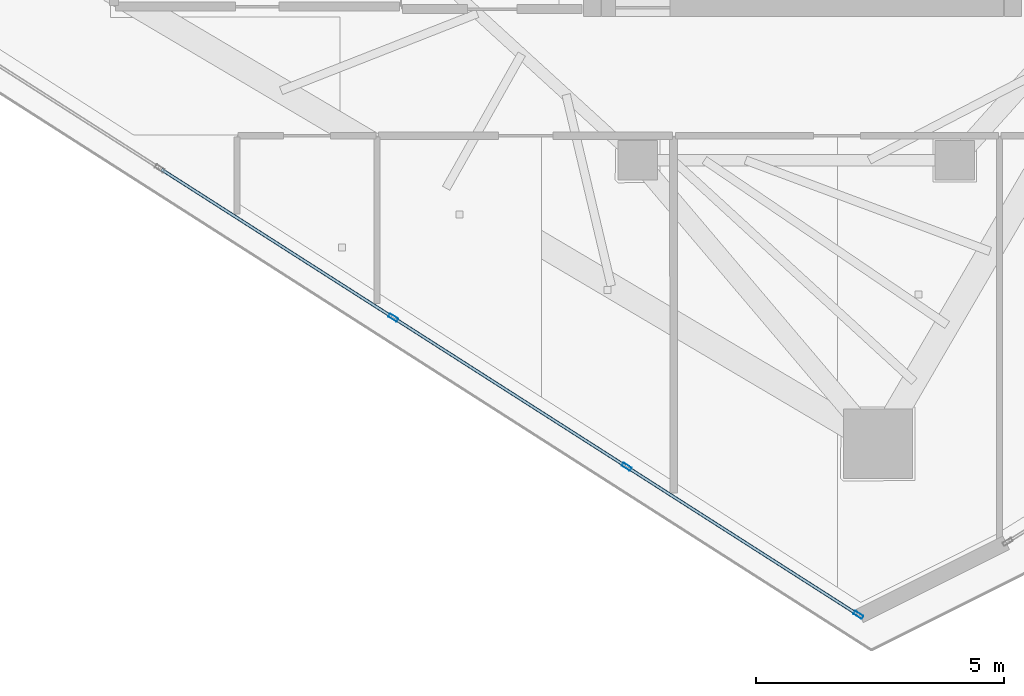
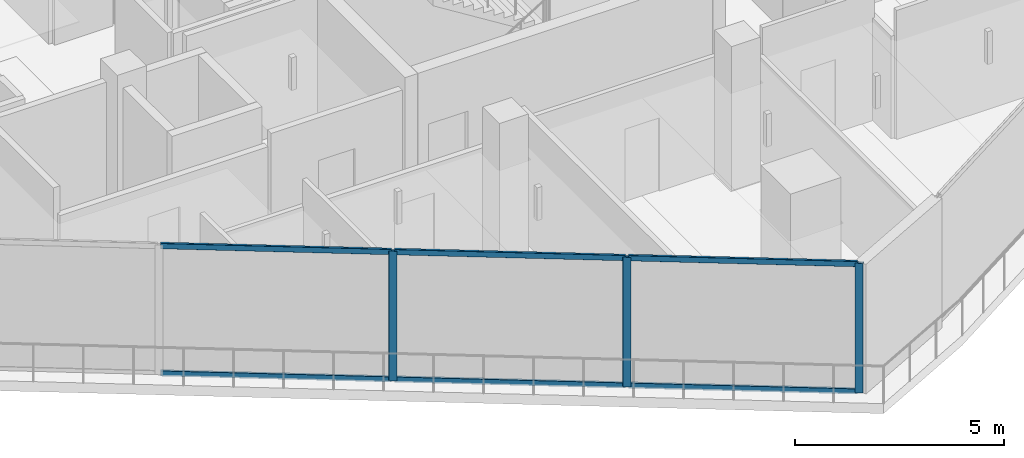
# One storey, part 5 of 26: 9 members, 1 element without a shape of its own.
"""IFC4 building model written with IfcOpenShell, lengths in metres."""

from ifc_helpers import new_model, si_unit, direction, frame, origin, origin_2d, place, context, subcontext, project, spatial, hollow_rectangle, extrude, material, layer, layer_set, material_profile, profile_set, type_object, element, aggregate, save


model = new_model("IFC4")

# Units and contexts
model_context = context("Model", 3, precision=1e-05, world=origin(), true_north=direction((0.0, 1.0)))
body_context = subcontext(model_context, "Body", "Model", "MODEL_VIEW")
ifc_project = project(units=[si_unit("LENGTHUNIT", "METRE"), si_unit("AREAUNIT", "SQUARE_METRE"), si_unit("VOLUMEUNIT", "CUBIC_METRE"), si_unit("PLANEANGLEUNIT", "RADIAN"), si_unit("MASSUNIT", "GRAM", prefix="KILO")], contexts=[model_context])

# Site, building, storey
site_placement = place(None, origin())
site = spatial("IfcSite", under=ifc_project, at=site_placement, CompositionType="ELEMENT")
building_placement = place(site_placement, origin())
building = spatial("IfcBuilding", under=site, at=building_placement, Name="Qorvath Tower", CompositionType="ELEMENT")
storey_placement = place(building_placement, frame((0.0, 0.0, 322.800048828125)))
storey = spatial("IfcBuildingStorey", under=building, at=storey_placement, Name="L75", CompositionType="ELEMENT", Elevation=322.800048828125)

# Curtain wall, members
ifc_material_1 = material(Name="Anodised aluminium and triple low-E glass", Category="aluminium")
ifc_layer = layer(ifc_material_1, 0.179931640625)
ifc_layer_set = layer_set([ifc_layer], Name="CW-SYS-4")
curtain_wall_type = type_object("IfcCurtainWallType", Name="CW-SYS-4", PredefinedType="NOTDEFINED", material=ifc_layer_set)
curtain_wall_placement = place(storey_placement, origin())
curtain_wall = element("IfcCurtainWall", 1, at=curtain_wall_placement, inside=storey, type_object=curtain_wall_type, Name="Curtain Wall CW-4 CW-T-L75-2.1", PredefinedType="NOTDEFINED")
ifc_material_2 = material(Name="Anodised aluminium 6063-T6", Category="aluminium")
ifc_material_profile_1 = material_profile(ifc_material_2, hollow_rectangle(XDim=0.074951171875, YDim=0.199951171875, WallThickness=0.00390625, InnerFilletRadius=0.00390625, OuterFilletRadius=0.008056640625, at=origin_2d()), Name="CWM 200x75")
ifc_profile_set_1 = profile_set([ifc_material_profile_1], Name="Anodised aluminium 6063-T6")
member_type_1 = type_object("IfcMemberType", Name="CWM-200", PredefinedType="MULLION", material=ifc_profile_set_1)
member_1_placement = place(storey_placement, frame((-28.541015625, -14.631103515625, 0.0), z_axis=(0.0, 0.0, 1.0), x_axis=(0.538535622768, 0.842602743296, 0.0)))
member_1 = element("IfcMember", 2, at=member_1_placement, type_object=member_type_1, Name="CW-4 mullion 5", PredefinedType="MULLION", context=body_context, shape_type="SweptSolid", body=[
    extrude(hollow_rectangle(XDim=0.074951171875, YDim=0.199951171875, WallThickness=0.00390625, InnerFilletRadius=0.00390625, OuterFilletRadius=0.008056640625, at=origin_2d()), origin(), (0.0, 0.0, 1.0), 3.780029296875),
])
member_2_placement = place(storey_placement, frame((-23.827880859375, -17.6435546875, 0.0), z_axis=(0.0, 0.0, 1.0), x_axis=(0.538535622768, 0.842602743296, 0.0)))
member_2 = element("IfcMember", 3, at=member_2_placement, type_object=member_type_1, Name="CW-4 mullion 6", PredefinedType="MULLION", context=body_context, shape_type="SweptSolid", body=[
    extrude(hollow_rectangle(XDim=0.074951171875, YDim=0.199951171875, WallThickness=0.00390625, InnerFilletRadius=0.00390625, OuterFilletRadius=0.008056640625, at=origin_2d()), origin(), (0.0, 0.0, 1.0), 3.780029296875),
])
member_3_placement = place(storey_placement, frame((-19.146240234375, -20.635498046875, 0.0), z_axis=(0.0, 0.0, 1.0), x_axis=(0.538535622768, 0.842602743296, 0.0)))
member_3 = element("IfcMember", 4, at=member_3_placement, type_object=member_type_1, Name="CW-4 mullion 7", PredefinedType="MULLION", context=body_context, shape_type="SweptSolid", body=[
    extrude(hollow_rectangle(XDim=0.074951171875, YDim=0.199951171875, WallThickness=0.00390625, InnerFilletRadius=0.00390625, OuterFilletRadius=0.008056640625, at=origin_2d()), origin(), (0.0, 0.0, 1.0), 3.780029296875),
])
ifc_material_3 = material(Name="Anodised aluminium 6063-T6", Category="aluminium")
ifc_material_profile_2 = material_profile(ifc_material_3, hollow_rectangle(XDim=0.06494140625, YDim=0.159912109375, WallThickness=0.00341796875, InnerFilletRadius=0.00341796875, OuterFilletRadius=0.007080078125, at=origin_2d()), Name="CWT 160x65")
ifc_profile_set_2 = profile_set([ifc_material_profile_2], Name="Anodised aluminium 6063-T6")
member_type_2 = type_object("IfcMemberType", Name="CWT-160", PredefinedType="USERDEFINED", material=ifc_profile_set_2)
member_4_placement = place(storey_placement, frame((-33.222412109375, -11.63916015625, 0.032470703125), z_axis=(0.842601463346, -0.538537625397, 0.0), x_axis=(0.538537625397, 0.842601463346, 0.0)))
member_4 = element("IfcMember", 5, at=member_4_placement, type_object=member_type_2, Name="CW-4 transom 4.1", ObjectType="TRANSOM", PredefinedType="USERDEFINED", context=body_context, shape_type="SweptSolid", body=[
    extrude(hollow_rectangle(XDim=0.06494140625, YDim=0.159912109375, WallThickness=0.00341796875, InnerFilletRadius=0.00341796875, OuterFilletRadius=0.007080078125, at=origin_2d()), origin(), (0.0, 0.0, 1.0), 5.5185546875),
])
member_5_placement = place(storey_placement, frame((-33.222412109375, -11.63916015625, 3.74755859375), z_axis=(0.842601463346, -0.538537625397, 0.0), x_axis=(0.538537625397, 0.842601463346, 0.0)))
member_5 = element("IfcMember", 6, at=member_5_placement, type_object=member_type_2, Name="CW-4 transom 4.2", ObjectType="TRANSOM", PredefinedType="USERDEFINED", context=body_context, shape_type="SweptSolid", body=[
    extrude(hollow_rectangle(XDim=0.06494140625, YDim=0.159912109375, WallThickness=0.00341796875, InnerFilletRadius=0.00341796875, OuterFilletRadius=0.007080078125, at=origin_2d()), origin(), (0.0, 0.0, 1.0), 5.5185546875),
])
member_6_placement = place(storey_placement, frame((-28.50927734375, -14.6513671875, 0.032470703125), z_axis=(0.842601463346, -0.538537625397, 0.0), x_axis=(0.538537625397, 0.842601463346, 0.0)))
member_6 = element("IfcMember", 7, at=member_6_placement, type_object=member_type_2, Name="CW-4 transom 5.1", ObjectType="TRANSOM", PredefinedType="USERDEFINED", context=body_context, shape_type="SweptSolid", body=[
    extrude(hollow_rectangle(XDim=0.06494140625, YDim=0.159912109375, WallThickness=0.00341796875, InnerFilletRadius=0.00341796875, OuterFilletRadius=0.007080078125, at=origin_2d()), origin(), (0.0, 0.0, 1.0), 5.5185546875),
])
member_7_placement = place(storey_placement, frame((-28.50927734375, -14.6513671875, 3.74755859375), z_axis=(0.842601463346, -0.538537625397, 0.0), x_axis=(0.538537625397, 0.842601463346, 0.0)))
member_7 = element("IfcMember", 8, at=member_7_placement, type_object=member_type_2, Name="CW-4 transom 5.2", ObjectType="TRANSOM", PredefinedType="USERDEFINED", context=body_context, shape_type="SweptSolid", body=[
    extrude(hollow_rectangle(XDim=0.06494140625, YDim=0.159912109375, WallThickness=0.00341796875, InnerFilletRadius=0.00341796875, OuterFilletRadius=0.007080078125, at=origin_2d()), origin(), (0.0, 0.0, 1.0), 5.5185546875),
])
member_8_placement = place(storey_placement, frame((-23.796142578125, -17.66357421875, 0.032470703125), z_axis=(0.842579475749, -0.538572025866, 0.0), x_axis=(0.538572025866, 0.842579475749, 0.0)))
member_8 = element("IfcMember", 9, at=member_8_placement, type_object=member_type_2, Name="CW-4 transom 6.1", ObjectType="TRANSOM", PredefinedType="USERDEFINED", context=body_context, shape_type="SweptSolid", body=[
    extrude(hollow_rectangle(XDim=0.06494140625, YDim=0.159912109375, WallThickness=0.00341796875, InnerFilletRadius=0.00341796875, OuterFilletRadius=0.007080078125, at=origin_2d()), origin(), (0.0, 0.0, 1.0), 5.48095703125),
])
member_9_placement = place(storey_placement, frame((-23.796142578125, -17.66357421875, 3.74755859375), z_axis=(0.842579475749, -0.538572025866, 0.0), x_axis=(0.538572025866, 0.842579475749, 0.0)))
member_9 = element("IfcMember", 10, at=member_9_placement, type_object=member_type_2, Name="CW-4 transom 6.2", ObjectType="TRANSOM", PredefinedType="USERDEFINED", context=body_context, shape_type="SweptSolid", body=[
    extrude(hollow_rectangle(XDim=0.06494140625, YDim=0.159912109375, WallThickness=0.00341796875, InnerFilletRadius=0.00341796875, OuterFilletRadius=0.007080078125, at=origin_2d()), origin(), (0.0, 0.0, 1.0), 5.48095703125),
])
aggregate(curtain_wall, [member_1, member_2, member_3, member_4, member_5, member_6, member_7, member_8, member_9])

save(model, "model.ifc")
